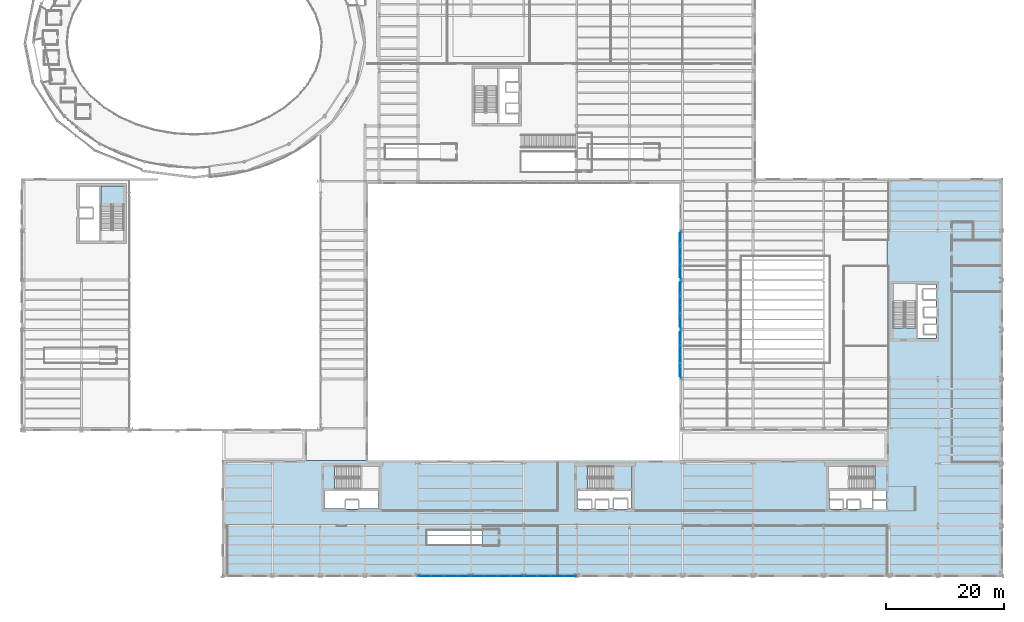
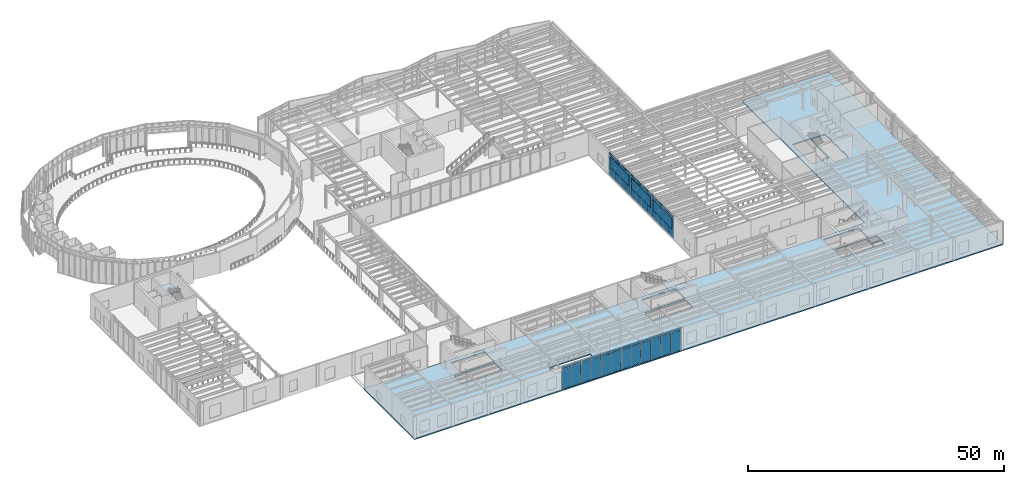
# One storey, part 68 of 98: 51 plates, 3 slabs, 14 elements without a shape of their own.
"""IFC4 building model written with IfcOpenShell, lengths in metres."""

from ifc_helpers import new_model, si_unit, direction, frame, origin, origin_2d, place, context, subcontext, project, spatial, polyline, rectangle, outline, extrude, material, layer, layer_set, type_object, element, aggregate, save


model = new_model("IFC4")

# Units and contexts
model_context = context("Model", 3, precision=1e-05, world=origin(), true_north=direction((0.0, 1.0)))
body_context = subcontext(model_context, "Body", "Model", "MODEL_VIEW")
ifc_project = project(units=[si_unit("LENGTHUNIT", "METRE"), si_unit("AREAUNIT", "SQUARE_METRE"), si_unit("VOLUMEUNIT", "CUBIC_METRE"), si_unit("PLANEANGLEUNIT", "RADIAN"), si_unit("MASSUNIT", "GRAM", prefix="KILO")], contexts=[model_context])

# Site, building, storey
site_placement = place(None, origin())
site = spatial("IfcSite", under=ifc_project, at=site_placement, CompositionType="ELEMENT")
building_placement = place(site_placement, origin())
building = spatial("IfcBuilding", under=site, at=building_placement, Name="Sollismere Congress Hotel", CompositionType="ELEMENT")
storey_placement = place(building_placement, frame((0.0, 0.0, 5.39990234375)))
storey = spatial("IfcBuildingStorey", under=building, at=storey_placement, Name="L01", CompositionType="ELEMENT", Elevation=5.39990234375)

# Curtain wall, plates
ifc_material_1 = material(Name="Anodized Bronze Curtain Wall & Low-E Triple Glazing", Category="glass")
ifc_layer_1 = layer(ifc_material_1, 0.199951171875, Name="Anodized Bronze Curtain Wall & Low-E Triple Glazing")
ifc_layer_set_1 = layer_set([ifc_layer_1], Name="Anodized Bronze Curtain Wall & Low-E Triple Glazing")
curtain_wall_type = type_object("IfcCurtainWallType", Name="CW-GLZ36", PredefinedType="USERDEFINED", material=ifc_layer_set_1)
curtain_wall_1_placement = place(storey_placement, origin())
curtain_wall_1 = element("IfcCurtainWall", 1, at=curtain_wall_1_placement, inside=storey, type_object=curtain_wall_type, Name="Unitised curtain wall CW-L01-141", ObjectType="UNITISED CURTAIN WALL", PredefinedType="USERDEFINED")
ifc_material_2 = material(Name="Blue-Tinted Solar-Control Low-E Vision Glass", Category="glass")
ifc_layer_2 = layer(ifc_material_2, 0.035888671875, Name="Blue-Tinted Solar-Control Low-E Vision Glass")
ifc_layer_set_2 = layer_set([ifc_layer_2], Name="Blue-Tinted Solar-Control Low-E Vision Glass")
plate_type_1 = type_object("IfcPlateType", Name="PL-CWGLZ", PredefinedType="CURTAIN_PANEL", material=ifc_layer_set_2)
plate_1_placement = place(storey_placement, frame((111.68994140625, 34.276611328125, 0.05322265625), z_axis=(0.0, 0.0, 1.0), x_axis=(0.0, 1.0, 0.0)))
plate_1 = element("IfcPlate", 2, at=plate_1_placement, type_object=plate_type_1, Name="CWL-CW-L01-141-VP01", PredefinedType="CURTAIN_PANEL", context=body_context, shape_type="SweptSolid", body=[
    extrude(rectangle(XDim=2.006103515625, YDim=0.035888671875, at=origin_2d()), origin(), (0.0, 0.0, 1.0), 4.60888671875),
])
plate_2_placement = place(storey_placement, frame((111.68994140625, 36.33349609375, 0.05322265625), z_axis=(0.0, 0.0, 1.0), x_axis=(0.0, 1.0, 0.0)))
plate_2 = element("IfcPlate", 3, at=plate_2_placement, type_object=plate_type_1, Name="CWL-CW-L01-141-VP02", PredefinedType="CURTAIN_PANEL", context=body_context, shape_type="SweptSolid", body=[
    extrude(rectangle(XDim=2.006103515625, YDim=0.035888671875, at=origin_2d()), origin(), (0.0, 0.0, 1.0), 4.60888671875),
])

curtain_wall_2_placement = place(storey_placement, origin())
curtain_wall_2 = element("IfcCurtainWall", 4, at=curtain_wall_2_placement, inside=storey, type_object=curtain_wall_type, Name="Unitised curtain wall CW-L01-142", ObjectType="UNITISED CURTAIN WALL", PredefinedType="USERDEFINED")
plate_3_placement = place(storey_placement, frame((111.68994140625, 38.466552734375, 0.05322265625), z_axis=(0.0, 0.0, 1.0), x_axis=(0.0, 1.0, 0.0)))
plate_3 = element("IfcPlate", 5, at=plate_3_placement, type_object=plate_type_1, Name="CWL-CW-L01-142-VP01", PredefinedType="CURTAIN_PANEL", context=body_context, shape_type="SweptSolid", body=[
    extrude(rectangle(XDim=2.006103515625, YDim=0.035888671875, at=origin_2d()), origin(), (0.0, 0.0, 1.0), 4.60888671875),
])
plate_4_placement = place(storey_placement, frame((111.68994140625, 40.5234375, 0.05322265625), z_axis=(0.0, 0.0, 1.0), x_axis=(0.0, 1.0, 0.0)))
plate_4 = element("IfcPlate", 6, at=plate_4_placement, type_object=plate_type_1, Name="CWL-CW-L01-142-VP02", PredefinedType="CURTAIN_PANEL", context=body_context, shape_type="SweptSolid", body=[
    extrude(rectangle(XDim=2.006103515625, YDim=0.035888671875, at=origin_2d()), origin(), (0.0, 0.0, 1.0), 4.60888671875),
])

curtain_wall_3_placement = place(storey_placement, origin())
curtain_wall_3 = element("IfcCurtainWall", 7, at=curtain_wall_3_placement, inside=storey, type_object=curtain_wall_type, Name="Unitised curtain wall CW-L01-143", ObjectType="UNITISED CURTAIN WALL", PredefinedType="USERDEFINED")
plate_5_placement = place(storey_placement, frame((111.68994140625, 42.676513671875, 0.05322265625), z_axis=(0.0, 0.0, 1.0), x_axis=(0.0, 1.0, 0.0)))
plate_5 = element("IfcPlate", 8, at=plate_5_placement, type_object=plate_type_1, Name="CWL-CW-L01-143-VP01", PredefinedType="CURTAIN_PANEL", context=body_context, shape_type="SweptSolid", body=[
    extrude(rectangle(XDim=2.006103515625, YDim=0.035888671875, at=origin_2d()), origin(), (0.0, 0.0, 1.0), 4.60888671875),
])
plate_6_placement = place(storey_placement, frame((111.68994140625, 44.7333984375, 0.05322265625), z_axis=(0.0, 0.0, 1.0), x_axis=(0.0, 1.0, 0.0)))
plate_6 = element("IfcPlate", 9, at=plate_6_placement, type_object=plate_type_1, Name="CWL-CW-L01-143-VP02", PredefinedType="CURTAIN_PANEL", context=body_context, shape_type="SweptSolid", body=[
    extrude(rectangle(XDim=2.006103515625, YDim=0.035888671875, at=origin_2d()), origin(), (0.0, 0.0, 1.0), 4.60888671875),
])

curtain_wall_4_placement = place(storey_placement, origin())
curtain_wall_4 = element("IfcCurtainWall", 10, at=curtain_wall_4_placement, inside=storey, type_object=curtain_wall_type, Name="Unitised curtain wall CW-L01-144", ObjectType="UNITISED CURTAIN WALL", PredefinedType="USERDEFINED")
plate_7_placement = place(storey_placement, frame((111.68994140625, 46.866455078125, 0.05322265625), z_axis=(0.0, 0.0, 1.0), x_axis=(0.0, 1.0, 0.0)))
plate_7 = element("IfcPlate", 11, at=plate_7_placement, type_object=plate_type_1, Name="CWL-CW-L01-144-VP01", PredefinedType="CURTAIN_PANEL", context=body_context, shape_type="SweptSolid", body=[
    extrude(rectangle(XDim=2.006103515625, YDim=0.035888671875, at=origin_2d()), origin(), (0.0, 0.0, 1.0), 4.60888671875),
])
plate_8_placement = place(storey_placement, frame((111.68994140625, 48.923583984375, 0.05322265625), z_axis=(0.0, 0.0, 1.0), x_axis=(0.0, 1.0, 0.0)))
plate_8 = element("IfcPlate", 12, at=plate_8_placement, type_object=plate_type_1, Name="CWL-CW-L01-144-VP02", PredefinedType="CURTAIN_PANEL", context=body_context, shape_type="SweptSolid", body=[
    extrude(rectangle(XDim=2.006103515625, YDim=0.035888671875, at=origin_2d()), origin(), (0.0, 0.0, 1.0), 4.60888671875),
])

curtain_wall_5_placement = place(storey_placement, origin())
curtain_wall_5 = element("IfcCurtainWall", 13, at=curtain_wall_5_placement, inside=storey, type_object=curtain_wall_type, Name="Unitised curtain wall CW-L01-145", ObjectType="UNITISED CURTAIN WALL", PredefinedType="USERDEFINED")
plate_9_placement = place(storey_placement, frame((111.68994140625, 51.076416015625, 0.05322265625), z_axis=(0.0, 0.0, 1.0), x_axis=(0.0, 1.0, 0.0)))
plate_9 = element("IfcPlate", 14, at=plate_9_placement, type_object=plate_type_1, Name="CWL-CW-L01-145-VP01", PredefinedType="CURTAIN_PANEL", context=body_context, shape_type="SweptSolid", body=[
    extrude(rectangle(XDim=2.006103515625, YDim=0.035888671875, at=origin_2d()), origin(), (0.0, 0.0, 1.0), 4.60888671875),
])
plate_10_placement = place(storey_placement, frame((111.68994140625, 53.133544921875, 0.05322265625), z_axis=(0.0, 0.0, 1.0), x_axis=(0.0, 1.0, 0.0)))
plate_10 = element("IfcPlate", 15, at=plate_10_placement, type_object=plate_type_1, Name="CWL-CW-L01-145-VP02", PredefinedType="CURTAIN_PANEL", context=body_context, shape_type="SweptSolid", body=[
    extrude(rectangle(XDim=2.006103515625, YDim=0.035888671875, at=origin_2d()), origin(), (0.0, 0.0, 1.0), 4.60888671875),
])

curtain_wall_6_placement = place(storey_placement, origin())
curtain_wall_6 = element("IfcCurtainWall", 16, at=curtain_wall_6_placement, inside=storey, type_object=curtain_wall_type, Name="Unitised curtain wall CW-L01-146", ObjectType="UNITISED CURTAIN WALL", PredefinedType="USERDEFINED")
plate_11_placement = place(storey_placement, frame((111.68994140625, 55.2666015625, 0.05322265625), z_axis=(0.0, 0.0, 1.0), x_axis=(0.0, 1.0, 0.0)))
plate_11 = element("IfcPlate", 17, at=plate_11_placement, type_object=plate_type_1, Name="CWL-CW-L01-146-VP01", PredefinedType="CURTAIN_PANEL", context=body_context, shape_type="SweptSolid", body=[
    extrude(rectangle(XDim=2.006103515625, YDim=0.035888671875, at=origin_2d()), origin(), (0.0, 0.0, 1.0), 4.60888671875),
])
plate_12_placement = place(storey_placement, frame((111.68994140625, 57.323486328125, 0.05322265625), z_axis=(0.0, 0.0, 1.0), x_axis=(0.0, 1.0, 0.0)))
plate_12 = element("IfcPlate", 18, at=plate_12_placement, type_object=plate_type_1, Name="CWL-CW-L01-146-VP02", PredefinedType="CURTAIN_PANEL", context=body_context, shape_type="SweptSolid", body=[
    extrude(rectangle(XDim=2.006103515625, YDim=0.035888671875, at=origin_2d()), origin(), (0.0, 0.0, 1.0), 4.60888671875),
])

curtain_wall_7_placement = place(storey_placement, origin())
curtain_wall_7 = element("IfcCurtainWall", 19, at=curtain_wall_7_placement, inside=storey, type_object=curtain_wall_type, Name="Unitised curtain wall CW-L01-153", ObjectType="UNITISED CURTAIN WALL", PredefinedType="USERDEFINED")
plate_13_placement = place(storey_placement, frame((68.12646484375, -0.31005859375, 0.05322265625), z_axis=(0.0, 0.0, 1.0), x_axis=(1.0, 0.0, 0.0)))
plate_13 = element("IfcPlate", 20, at=plate_13_placement, type_object=plate_type_1, Name="CWL-CW-L01-153-VP01", PredefinedType="CURTAIN_PANEL", context=body_context, shape_type="SweptSolid", body=[
    extrude(rectangle(XDim=2.166015625, YDim=0.035888671875, at=origin_2d()), origin(), (0.0, 0.0, 1.0), 4.60888671875),
])
plate_14_placement = place(storey_placement, frame((70.343505859375, -0.31005859375, 0.05322265625), z_axis=(0.0, 0.0, 1.0), x_axis=(1.0, 0.0, 0.0)))
plate_14 = element("IfcPlate", 21, at=plate_14_placement, type_object=plate_type_1, Name="CWL-CW-L01-153-VP02", PredefinedType="CURTAIN_PANEL", context=body_context, shape_type="SweptSolid", body=[
    extrude(rectangle(XDim=2.166015625, YDim=0.035888671875, at=origin_2d()), origin(), (0.0, 0.0, 1.0), 4.60888671875),
])

curtain_wall_8_placement = place(storey_placement, origin())
curtain_wall_8 = element("IfcCurtainWall", 22, at=curtain_wall_8_placement, inside=storey, type_object=curtain_wall_type, Name="Unitised curtain wall CW-L01-154", ObjectType="UNITISED CURTAIN WALL", PredefinedType="USERDEFINED")
plate_15_placement = place(storey_placement, frame((72.636474609375, -0.31005859375, 0.05322265625), z_axis=(0.0, 0.0, 1.0), x_axis=(1.0, 0.0, 0.0)))
plate_15 = element("IfcPlate", 23, at=plate_15_placement, type_object=plate_type_1, Name="CWL-CW-L01-154-VP01", PredefinedType="CURTAIN_PANEL", context=body_context, shape_type="SweptSolid", body=[
    extrude(rectangle(XDim=2.166015625, YDim=0.035888671875, at=origin_2d()), origin(), (0.0, 0.0, 1.0), 4.60888671875),
])
plate_16_placement = place(storey_placement, frame((74.853515625, -0.31005859375, 0.05322265625), z_axis=(0.0, 0.0, 1.0), x_axis=(1.0, 0.0, 0.0)))
plate_16 = element("IfcPlate", 24, at=plate_16_placement, type_object=plate_type_1, Name="CWL-CW-L01-154-VP02", PredefinedType="CURTAIN_PANEL", context=body_context, shape_type="SweptSolid", body=[
    extrude(rectangle(XDim=2.166015625, YDim=0.035888671875, at=origin_2d()), origin(), (0.0, 0.0, 1.0), 4.60888671875),
])

curtain_wall_9_placement = place(storey_placement, origin())
curtain_wall_9 = element("IfcCurtainWall", 25, at=curtain_wall_9_placement, inside=storey, type_object=curtain_wall_type, Name="Unitised curtain wall CW-L01-155", ObjectType="UNITISED CURTAIN WALL", PredefinedType="USERDEFINED")
plate_17_placement = place(storey_placement, frame((77.14404296875, -0.31005859375, 0.05322265625), z_axis=(0.0, 0.0, 1.0), x_axis=(1.0, 0.0, 0.0)))
plate_17 = element("IfcPlate", 26, at=plate_17_placement, type_object=plate_type_1, Name="CWL-CW-L01-155-VP01", PredefinedType="CURTAIN_PANEL", context=body_context, shape_type="SweptSolid", body=[
    extrude(rectangle(XDim=2.160888671875, YDim=0.035888671875, at=origin_2d()), origin(), (0.0, 0.0, 1.0), 4.60888671875),
])
plate_18_placement = place(storey_placement, frame((79.35595703125, -0.31005859375, 0.05322265625), z_axis=(0.0, 0.0, 1.0), x_axis=(1.0, 0.0, 0.0)))
plate_18 = element("IfcPlate", 27, at=plate_18_placement, type_object=plate_type_1, Name="CWL-CW-L01-155-VP02", PredefinedType="CURTAIN_PANEL", context=body_context, shape_type="SweptSolid", body=[
    extrude(rectangle(XDim=2.160888671875, YDim=0.035888671875, at=origin_2d()), origin(), (0.0, 0.0, 1.0), 4.60888671875),
])

curtain_wall_10_placement = place(storey_placement, origin())
curtain_wall_10 = element("IfcCurtainWall", 28, at=curtain_wall_10_placement, inside=storey, type_object=curtain_wall_type, Name="Unitised curtain wall CW-L01-156", ObjectType="UNITISED CURTAIN WALL", PredefinedType="USERDEFINED")
plate_19_placement = place(storey_placement, frame((81.64404296875, -0.31005859375, 0.05322265625), z_axis=(0.0, 0.0, 1.0), x_axis=(1.0, 0.0, 0.0)))
plate_19 = element("IfcPlate", 29, at=plate_19_placement, type_object=plate_type_1, Name="CWL-CW-L01-156-VP01", PredefinedType="CURTAIN_PANEL", context=body_context, shape_type="SweptSolid", body=[
    extrude(rectangle(XDim=2.160888671875, YDim=0.035888671875, at=origin_2d()), origin(), (0.0, 0.0, 1.0), 4.60888671875),
])
plate_20_placement = place(storey_placement, frame((83.85595703125, -0.31005859375, 0.05322265625), z_axis=(0.0, 0.0, 1.0), x_axis=(1.0, 0.0, 0.0)))
plate_20 = element("IfcPlate", 30, at=plate_20_placement, type_object=plate_type_1, Name="CWL-CW-L01-156-VP02", PredefinedType="CURTAIN_PANEL", context=body_context, shape_type="SweptSolid", body=[
    extrude(rectangle(XDim=2.160888671875, YDim=0.035888671875, at=origin_2d()), origin(), (0.0, 0.0, 1.0), 4.60888671875),
])

curtain_wall_11_placement = place(storey_placement, origin())
curtain_wall_11 = element("IfcCurtainWall", 31, at=curtain_wall_11_placement, inside=storey, type_object=curtain_wall_type, Name="Unitised curtain wall CW-L01-157", ObjectType="UNITISED CURTAIN WALL", PredefinedType="USERDEFINED")
plate_21_placement = place(storey_placement, frame((86.146484375, -0.31005859375, 0.05322265625), z_axis=(0.0, 0.0, 1.0), x_axis=(1.0, 0.0, 0.0)))
plate_21 = element("IfcPlate", 32, at=plate_21_placement, type_object=plate_type_1, Name="CWL-CW-L01-157-VP01", PredefinedType="CURTAIN_PANEL", context=body_context, shape_type="SweptSolid", body=[
    extrude(rectangle(XDim=2.166015625, YDim=0.035888671875, at=origin_2d()), origin(), (0.0, 0.0, 1.0), 4.60888671875),
])
plate_22_placement = place(storey_placement, frame((88.363525390625, -0.31005859375, 0.05322265625), z_axis=(0.0, 0.0, 1.0), x_axis=(1.0, 0.0, 0.0)))
plate_22 = element("IfcPlate", 33, at=plate_22_placement, type_object=plate_type_1, Name="CWL-CW-L01-157-VP02", PredefinedType="CURTAIN_PANEL", context=body_context, shape_type="SweptSolid", body=[
    extrude(rectangle(XDim=2.166015625, YDim=0.035888671875, at=origin_2d()), origin(), (0.0, 0.0, 1.0), 4.60888671875),
])

curtain_wall_12_placement = place(storey_placement, origin())
curtain_wall_12 = element("IfcCurtainWall", 34, at=curtain_wall_12_placement, inside=storey, type_object=curtain_wall_type, Name="Unitised curtain wall CW-L01-158", ObjectType="UNITISED CURTAIN WALL", PredefinedType="USERDEFINED")
plate_23_placement = place(storey_placement, frame((90.656494140625, -0.31005859375, 0.05322265625), z_axis=(0.0, 0.0, 1.0), x_axis=(1.0, 0.0, 0.0)))
plate_23 = element("IfcPlate", 35, at=plate_23_placement, type_object=plate_type_1, Name="CWL-CW-L01-158-VP01", PredefinedType="CURTAIN_PANEL", context=body_context, shape_type="SweptSolid", body=[
    extrude(rectangle(XDim=2.166015625, YDim=0.035888671875, at=origin_2d()), origin(), (0.0, 0.0, 1.0), 4.60888671875),
])
plate_24_placement = place(storey_placement, frame((92.87353515625, -0.31005859375, 0.05322265625), z_axis=(0.0, 0.0, 1.0), x_axis=(1.0, 0.0, 0.0)))
plate_24 = element("IfcPlate", 36, at=plate_24_placement, type_object=plate_type_1, Name="CWL-CW-L01-158-VP02", PredefinedType="CURTAIN_PANEL", context=body_context, shape_type="SweptSolid", body=[
    extrude(rectangle(XDim=2.166015625, YDim=0.035888671875, at=origin_2d()), origin(), (0.0, 0.0, 1.0), 4.60888671875),
])

# Plate
ifc_material_3 = material(Name="Anodized Bronze Insulated Spandrel Panel")
ifc_layer_3 = layer(ifc_material_3, 0.044921875, Name="Anodized Bronze Insulated Spandrel Panel")
ifc_layer_set_3 = layer_set([ifc_layer_3], Name="Anodized Bronze Insulated Spandrel Panel")
plate_type_2 = type_object("IfcPlateType", Name="PL-CWSPN", PredefinedType="SHEET", material=ifc_layer_set_3)
plate_25_placement = place(storey_placement, frame((111.68994140625, 34.276611328125, 4.77783203125), z_axis=(0.0, 0.0, 1.0), x_axis=(0.0, 1.0, 0.0)))
plate_25 = element("IfcPlate", 37, at=plate_25_placement, type_object=plate_type_2, Name="CWL-CW-L01-141-SP01", PredefinedType="SHEET", context=body_context, shape_type="SweptSolid", body=[
    extrude(rectangle(XDim=2.006103515625, YDim=0.044921875, at=origin_2d()), origin(), (0.0, 0.0, 1.0), 0.569091796875),
])

plate_26_placement = place(storey_placement, frame((111.68994140625, 36.33349609375, 4.77783203125), z_axis=(0.0, 0.0, 1.0), x_axis=(0.0, 1.0, 0.0)))
plate_26 = element("IfcPlate", 38, at=plate_26_placement, type_object=plate_type_2, Name="CWL-CW-L01-141-SP02", PredefinedType="SHEET", context=body_context, shape_type="SweptSolid", body=[
    extrude(rectangle(XDim=2.006103515625, YDim=0.044921875, at=origin_2d()), origin(), (0.0, 0.0, 1.0), 0.569091796875),
])

aggregate(curtain_wall_1, [plate_1, plate_25, plate_2, plate_26])

plate_27_placement = place(storey_placement, frame((111.68994140625, 38.466552734375, 4.77783203125), z_axis=(0.0, 0.0, 1.0), x_axis=(0.0, 1.0, 0.0)))
plate_27 = element("IfcPlate", 39, at=plate_27_placement, type_object=plate_type_2, Name="CWL-CW-L01-142-SP01", PredefinedType="SHEET", context=body_context, shape_type="SweptSolid", body=[
    extrude(rectangle(XDim=2.006103515625, YDim=0.044921875, at=origin_2d()), origin(), (0.0, 0.0, 1.0), 0.569091796875),
])

plate_28_placement = place(storey_placement, frame((111.68994140625, 40.5234375, 4.77783203125), z_axis=(0.0, 0.0, 1.0), x_axis=(0.0, 1.0, 0.0)))
plate_28 = element("IfcPlate", 40, at=plate_28_placement, type_object=plate_type_2, Name="CWL-CW-L01-142-SP02", PredefinedType="SHEET", context=body_context, shape_type="SweptSolid", body=[
    extrude(rectangle(XDim=2.006103515625, YDim=0.044921875, at=origin_2d()), origin(), (0.0, 0.0, 1.0), 0.569091796875),
])

aggregate(curtain_wall_2, [plate_3, plate_27, plate_4, plate_28])

plate_29_placement = place(storey_placement, frame((111.68994140625, 42.676513671875, 4.77783203125), z_axis=(0.0, 0.0, 1.0), x_axis=(0.0, 1.0, 0.0)))
plate_29 = element("IfcPlate", 41, at=plate_29_placement, type_object=plate_type_2, Name="CWL-CW-L01-143-SP01", PredefinedType="SHEET", context=body_context, shape_type="SweptSolid", body=[
    extrude(rectangle(XDim=2.006103515625, YDim=0.044921875, at=origin_2d()), origin(), (0.0, 0.0, 1.0), 0.569091796875),
])

plate_30_placement = place(storey_placement, frame((111.68994140625, 44.7333984375, 4.77783203125), z_axis=(0.0, 0.0, 1.0), x_axis=(0.0, 1.0, 0.0)))
plate_30 = element("IfcPlate", 42, at=plate_30_placement, type_object=plate_type_2, Name="CWL-CW-L01-143-SP02", PredefinedType="SHEET", context=body_context, shape_type="SweptSolid", body=[
    extrude(rectangle(XDim=2.006103515625, YDim=0.044921875, at=origin_2d()), origin(), (0.0, 0.0, 1.0), 0.569091796875),
])

aggregate(curtain_wall_3, [plate_5, plate_29, plate_6, plate_30])

plate_31_placement = place(storey_placement, frame((111.68994140625, 46.866455078125, 4.77783203125), z_axis=(0.0, 0.0, 1.0), x_axis=(0.0, 1.0, 0.0)))
plate_31 = element("IfcPlate", 43, at=plate_31_placement, type_object=plate_type_2, Name="CWL-CW-L01-144-SP01", PredefinedType="SHEET", context=body_context, shape_type="SweptSolid", body=[
    extrude(rectangle(XDim=2.006103515625, YDim=0.044921875, at=origin_2d()), origin(), (0.0, 0.0, 1.0), 0.569091796875),
])

plate_32_placement = place(storey_placement, frame((111.68994140625, 48.923583984375, 4.77783203125), z_axis=(0.0, 0.0, 1.0), x_axis=(0.0, 1.0, 0.0)))
plate_32 = element("IfcPlate", 44, at=plate_32_placement, type_object=plate_type_2, Name="CWL-CW-L01-144-SP02", PredefinedType="SHEET", context=body_context, shape_type="SweptSolid", body=[
    extrude(rectangle(XDim=2.006103515625, YDim=0.044921875, at=origin_2d()), origin(), (0.0, 0.0, 1.0), 0.569091796875),
])

aggregate(curtain_wall_4, [plate_7, plate_31, plate_8, plate_32])

plate_33_placement = place(storey_placement, frame((111.68994140625, 51.076416015625, 4.77783203125), z_axis=(0.0, 0.0, 1.0), x_axis=(0.0, 1.0, 0.0)))
plate_33 = element("IfcPlate", 45, at=plate_33_placement, type_object=plate_type_2, Name="CWL-CW-L01-145-SP01", PredefinedType="SHEET", context=body_context, shape_type="SweptSolid", body=[
    extrude(rectangle(XDim=2.006103515625, YDim=0.044921875, at=origin_2d()), origin(), (0.0, 0.0, 1.0), 0.569091796875),
])

plate_34_placement = place(storey_placement, frame((111.68994140625, 53.133544921875, 4.77783203125), z_axis=(0.0, 0.0, 1.0), x_axis=(0.0, 1.0, 0.0)))
plate_34 = element("IfcPlate", 46, at=plate_34_placement, type_object=plate_type_2, Name="CWL-CW-L01-145-SP02", PredefinedType="SHEET", context=body_context, shape_type="SweptSolid", body=[
    extrude(rectangle(XDim=2.006103515625, YDim=0.044921875, at=origin_2d()), origin(), (0.0, 0.0, 1.0), 0.569091796875),
])

aggregate(curtain_wall_5, [plate_9, plate_33, plate_10, plate_34])

plate_35_placement = place(storey_placement, frame((111.68994140625, 55.2666015625, 4.77783203125), z_axis=(0.0, 0.0, 1.0), x_axis=(0.0, 1.0, 0.0)))
plate_35 = element("IfcPlate", 47, at=plate_35_placement, type_object=plate_type_2, Name="CWL-CW-L01-146-SP01", PredefinedType="SHEET", context=body_context, shape_type="SweptSolid", body=[
    extrude(rectangle(XDim=2.006103515625, YDim=0.044921875, at=origin_2d()), origin(), (0.0, 0.0, 1.0), 0.569091796875),
])

plate_36_placement = place(storey_placement, frame((111.68994140625, 57.323486328125, 4.77783203125), z_axis=(0.0, 0.0, 1.0), x_axis=(0.0, 1.0, 0.0)))
plate_36 = element("IfcPlate", 48, at=plate_36_placement, type_object=plate_type_2, Name="CWL-CW-L01-146-SP02", PredefinedType="SHEET", context=body_context, shape_type="SweptSolid", body=[
    extrude(rectangle(XDim=2.006103515625, YDim=0.044921875, at=origin_2d()), origin(), (0.0, 0.0, 1.0), 0.569091796875),
])

aggregate(curtain_wall_6, [plate_11, plate_35, plate_12, plate_36])

plate_37_placement = place(storey_placement, frame((68.12646484375, -0.31005859375, 4.77783203125), z_axis=(0.0, 0.0, 1.0), x_axis=(1.0, 0.0, 0.0)))
plate_37 = element("IfcPlate", 49, at=plate_37_placement, type_object=plate_type_2, Name="CWL-CW-L01-153-SP01", PredefinedType="SHEET", context=body_context, shape_type="SweptSolid", body=[
    extrude(rectangle(XDim=2.166015625, YDim=0.044921875, at=origin_2d()), origin(), (0.0, 0.0, 1.0), 0.569091796875),
])

plate_38_placement = place(storey_placement, frame((70.343505859375, -0.31005859375, 4.77783203125), z_axis=(0.0, 0.0, 1.0), x_axis=(1.0, 0.0, 0.0)))
plate_38 = element("IfcPlate", 50, at=plate_38_placement, type_object=plate_type_2, Name="CWL-CW-L01-153-SP02", PredefinedType="SHEET", context=body_context, shape_type="SweptSolid", body=[
    extrude(rectangle(XDim=2.166015625, YDim=0.044921875, at=origin_2d()), origin(), (0.0, 0.0, 1.0), 0.569091796875),
])

aggregate(curtain_wall_7, [plate_13, plate_37, plate_14, plate_38])

plate_39_placement = place(storey_placement, frame((72.636474609375, -0.31005859375, 4.77783203125), z_axis=(0.0, 0.0, 1.0), x_axis=(1.0, 0.0, 0.0)))
plate_39 = element("IfcPlate", 51, at=plate_39_placement, type_object=plate_type_2, Name="CWL-CW-L01-154-SP01", PredefinedType="SHEET", context=body_context, shape_type="SweptSolid", body=[
    extrude(rectangle(XDim=2.166015625, YDim=0.044921875, at=origin_2d()), origin(), (0.0, 0.0, 1.0), 0.569091796875),
])

plate_40_placement = place(storey_placement, frame((74.853515625, -0.31005859375, 4.77783203125), z_axis=(0.0, 0.0, 1.0), x_axis=(1.0, 0.0, 0.0)))
plate_40 = element("IfcPlate", 52, at=plate_40_placement, type_object=plate_type_2, Name="CWL-CW-L01-154-SP02", PredefinedType="SHEET", context=body_context, shape_type="SweptSolid", body=[
    extrude(rectangle(XDim=2.166015625, YDim=0.044921875, at=origin_2d()), origin(), (0.0, 0.0, 1.0), 0.569091796875),
])

aggregate(curtain_wall_8, [plate_15, plate_39, plate_16, plate_40])

plate_41_placement = place(storey_placement, frame((77.14404296875, -0.31005859375, 4.77783203125), z_axis=(0.0, 0.0, 1.0), x_axis=(1.0, 0.0, 0.0)))
plate_41 = element("IfcPlate", 53, at=plate_41_placement, type_object=plate_type_2, Name="CWL-CW-L01-155-SP01", PredefinedType="SHEET", context=body_context, shape_type="SweptSolid", body=[
    extrude(rectangle(XDim=2.160888671875, YDim=0.044921875, at=origin_2d()), origin(), (0.0, 0.0, 1.0), 0.569091796875),
])

plate_42_placement = place(storey_placement, frame((79.35595703125, -0.31005859375, 4.77783203125), z_axis=(0.0, 0.0, 1.0), x_axis=(1.0, 0.0, 0.0)))
plate_42 = element("IfcPlate", 54, at=plate_42_placement, type_object=plate_type_2, Name="CWL-CW-L01-155-SP02", PredefinedType="SHEET", context=body_context, shape_type="SweptSolid", body=[
    extrude(rectangle(XDim=2.160888671875, YDim=0.044921875, at=origin_2d()), origin(), (0.0, 0.0, 1.0), 0.569091796875),
])

aggregate(curtain_wall_9, [plate_17, plate_41, plate_18, plate_42])

plate_43_placement = place(storey_placement, frame((81.64404296875, -0.31005859375, 4.77783203125), z_axis=(0.0, 0.0, 1.0), x_axis=(1.0, 0.0, 0.0)))
plate_43 = element("IfcPlate", 55, at=plate_43_placement, type_object=plate_type_2, Name="CWL-CW-L01-156-SP01", PredefinedType="SHEET", context=body_context, shape_type="SweptSolid", body=[
    extrude(rectangle(XDim=2.160888671875, YDim=0.044921875, at=origin_2d()), origin(), (0.0, 0.0, 1.0), 0.569091796875),
])

plate_44_placement = place(storey_placement, frame((83.85595703125, -0.31005859375, 4.77783203125), z_axis=(0.0, 0.0, 1.0), x_axis=(1.0, 0.0, 0.0)))
plate_44 = element("IfcPlate", 56, at=plate_44_placement, type_object=plate_type_2, Name="CWL-CW-L01-156-SP02", PredefinedType="SHEET", context=body_context, shape_type="SweptSolid", body=[
    extrude(rectangle(XDim=2.160888671875, YDim=0.044921875, at=origin_2d()), origin(), (0.0, 0.0, 1.0), 0.569091796875),
])

aggregate(curtain_wall_10, [plate_19, plate_43, plate_20, plate_44])

plate_45_placement = place(storey_placement, frame((86.146484375, -0.31005859375, 4.77783203125), z_axis=(0.0, 0.0, 1.0), x_axis=(1.0, 0.0, 0.0)))
plate_45 = element("IfcPlate", 57, at=plate_45_placement, type_object=plate_type_2, Name="CWL-CW-L01-157-SP01", PredefinedType="SHEET", context=body_context, shape_type="SweptSolid", body=[
    extrude(rectangle(XDim=2.166015625, YDim=0.044921875, at=origin_2d()), origin(), (0.0, 0.0, 1.0), 0.569091796875),
])

plate_46_placement = place(storey_placement, frame((88.363525390625, -0.31005859375, 4.77783203125), z_axis=(0.0, 0.0, 1.0), x_axis=(1.0, 0.0, 0.0)))
plate_46 = element("IfcPlate", 58, at=plate_46_placement, type_object=plate_type_2, Name="CWL-CW-L01-157-SP02", PredefinedType="SHEET", context=body_context, shape_type="SweptSolid", body=[
    extrude(rectangle(XDim=2.166015625, YDim=0.044921875, at=origin_2d()), origin(), (0.0, 0.0, 1.0), 0.569091796875),
])

aggregate(curtain_wall_11, [plate_21, plate_45, plate_22, plate_46])

plate_47_placement = place(storey_placement, frame((90.656494140625, -0.31005859375, 4.77783203125), z_axis=(0.0, 0.0, 1.0), x_axis=(1.0, 0.0, 0.0)))
plate_47 = element("IfcPlate", 59, at=plate_47_placement, type_object=plate_type_2, Name="CWL-CW-L01-158-SP01", PredefinedType="SHEET", context=body_context, shape_type="SweptSolid", body=[
    extrude(rectangle(XDim=2.166015625, YDim=0.044921875, at=origin_2d()), origin(), (0.0, 0.0, 1.0), 0.569091796875),
])

plate_48_placement = place(storey_placement, frame((92.87353515625, -0.31005859375, 4.77783203125), z_axis=(0.0, 0.0, 1.0), x_axis=(1.0, 0.0, 0.0)))
plate_48 = element("IfcPlate", 60, at=plate_48_placement, type_object=plate_type_2, Name="CWL-CW-L01-158-SP02", PredefinedType="SHEET", context=body_context, shape_type="SweptSolid", body=[
    extrude(rectangle(XDim=2.166015625, YDim=0.044921875, at=origin_2d()), origin(), (0.0, 0.0, 1.0), 0.569091796875),
])

aggregate(curtain_wall_12, [plate_23, plate_47, plate_24, plate_48])

# Plates
ifc_material_4 = material(Name="Perforated Architectural Bronze Sebeke Screen")
ifc_layer_4 = layer(ifc_material_4, 0.0380859375, Name="Perforated Architectural Bronze Sebeke Screen")
ifc_layer_set_4 = layer_set([ifc_layer_4], Name="Perforated Architectural Bronze Sebeke Screen")
plate_type_3 = type_object("IfcPlateType", Name="PL-SBK32", PredefinedType="USERDEFINED", material=ifc_layer_set_4)
for number, where, z_axis, x_axis, name in (
    (61, (111.550048828125, 37.39990234375, 2.048095703125), (0.0, 0.0, 1.0), (0.0, 1.0, 0.0), "PLT-SBK-025"),
    (62, (111.550048828125, 45.800048828125, 2.048095703125), (0.0, 0.0, 1.0), (0.0, 1.0, 0.0), "PLT-SBK-026"),
    (63, (111.550048828125, 54.199951171875, 2.048095703125), (0.0, 0.0, 1.0), (0.0, 1.0, 0.0), "PLT-SBK-027"),
):
    element("IfcPlate", number, at=place(storey_placement, frame(where, z_axis=z_axis, x_axis=x_axis)), inside=storey, type_object=plate_type_3, Name=name, ObjectType="PERFORATED SCREEN", PredefinedType="USERDEFINED", context=body_context, shape_type="SweptSolid", body=[
        extrude(rectangle(XDim=7.5, YDim=0.0380859375, at=origin_2d()), origin(), (0.0, 0.0, 1.0), 2.56005859375),
    ])

# Slab
ifc_material_5 = material(Name="Concrete C40/50", Category="concrete")
ifc_layer_5 = layer(ifc_material_5, 0.284912109375, Name="Concrete C40/50")
ifc_layer_set_5 = layer_set([ifc_layer_5], Name="Concrete C40/50")
slab_type_1 = type_object("IfcSlabType", Name="SL-FLR285", PredefinedType="FLOOR", material=ifc_layer_set_5)
slab_1_placement = place(storey_placement, frame((0.0, 0.0, -0.284912109375)))
element("IfcSlab", 64, at=slab_1_placement, inside=storey, type_object=slab_type_1, Name="Slab SL-L01-V5", PredefinedType="FLOOR", context=body_context, shape_type="SweptSolid", body=[
    extrude(outline(polyline([(166.47998046875, -0.47998046875), (166.47998046875, 19.280029296875), (166.47998046875, 67.280029296875), (146.719970703125, 67.280029296875), (146.719970703125, 19.280029296875), (33.719970703125, 19.280029296875), (33.719970703125, -0.47998046875), (166.47998046875, -0.47998046875)]), holes=[polyline([(77.8994140625, 5.0), (68.550048828125, 5.0), (68.550048828125, 7.39990234375), (77.8994140625, 7.39990234375), (77.8994140625, 5.0)]), polyline([(54.7548828125, 11.050048828125), (54.7548828125, 11.139892578125), (51.139892578125, 11.139892578125), (51.139892578125, 14.179931640625), (60.260009765625, 14.179931640625), (60.260009765625, 11.139892578125), (56.844970703125, 11.139892578125), (56.844970703125, 11.050048828125), (54.7548828125, 11.050048828125)]), polyline([(94.35498046875, 11.050048828125), (94.35498046875, 11.139892578125), (94.139892578125, 11.139892578125), (94.139892578125, 14.179931640625), (103.260009765625, 14.179931640625), (103.260009765625, 11.139892578125), (102.570068359375, 11.139892578125), (102.570068359375, 11.054931640625), (100.330078125, 11.054931640625), (100.330078125, 11.139892578125), (99.344970703125, 11.139892578125), (99.344970703125, 11.050048828125), (97.2548828125, 11.050048828125), (97.2548828125, 11.139892578125), (96.445068359375, 11.139892578125), (96.445068359375, 11.050048828125), (94.35498046875, 11.050048828125)]), polyline([(137.155029296875, 11.050048828125), (137.155029296875, 11.139892578125), (136.93994140625, 11.139892578125), (136.93994140625, 14.179931640625), (144.22705078125, 14.179931640625), (144.22705078125, 11.139892578125), (142.14501953125, 11.139892578125), (142.14501953125, 11.050048828125), (140.054931640625, 11.050048828125), (140.054931640625, 11.139892578125), (139.2451171875, 11.139892578125), (139.2451171875, 11.050048828125), (137.155029296875, 11.050048828125)]), polyline([(52.8505859375, 18.35009765625), (60.39990234375, 18.35009765625), (60.39990234375, 14.449951171875), (52.8505859375, 14.449951171875), (52.8505859375, 18.35009765625)]), polyline([(95.8505859375, 18.35009765625), (103.39990234375, 18.35009765625), (103.39990234375, 14.449951171875), (95.8505859375, 14.449951171875), (95.8505859375, 18.35009765625)]), polyline([(146.550048828125, 11.0048828125), (144.409912109375, 11.0048828125), (144.409912109375, 12.4951171875), (146.550048828125, 12.4951171875), (146.550048828125, 11.0048828125)]), polyline([(144.409912109375, 12.705078125), (144.409912109375, 14.195068359375), (146.550048828125, 14.195068359375), (146.550048828125, 12.705078125), (144.409912109375, 12.705078125)]), polyline([(144.749267578125, 14.449951171875), (136.800048828125, 14.449951171875), (136.800048828125, 18.35009765625), (144.749267578125, 18.35009765625), (144.749267578125, 14.449951171875)]), polyline([(155.06005859375, 40.830078125), (155.06005859375, 40.139892578125), (151.969970703125, 40.139892578125), (151.969970703125, 49.260009765625), (155.06005859375, 49.260009765625), (155.06005859375, 48.39501953125), (155.139892578125, 48.39501953125), (155.139892578125, 46.705078125), (155.06005859375, 46.705078125), (155.06005859375, 45.27001953125), (155.14501953125, 45.27001953125), (155.14501953125, 43.72998046875), (155.06005859375, 43.72998046875), (155.06005859375, 42.3701171875), (155.14501953125, 42.3701171875), (155.14501953125, 40.830078125), (155.06005859375, 40.830078125)]), polyline([(147.800048828125, 41.8505859375), (147.800048828125, 49.39990234375), (151.699951171875, 49.39990234375), (151.699951171875, 41.8505859375), (147.800048828125, 41.8505859375)])]), origin(), (0.0, 0.0, 1.0), 0.284912109375),
])

# Stair, slab
stair_type = type_object("IfcStairType", Name="STR-DL-540", PredefinedType="HALF_TURN_STAIR", material=ifc_material_5)
stair_1_placement = place(storey_placement, origin())
stair_1 = element("IfcStair", 65, at=stair_1_placement, inside=storey, type_object=stair_type, Name="Protected exit stair ST-02-L01", PredefinedType="HALF_TURN_STAIR")
ifc_layer_6 = layer(ifc_material_5, 0.199951171875, Name="Concrete C40/50")
ifc_layer_set_6 = layer_set([ifc_layer_6], Name="Concrete C40/50")
slab_type_2 = type_object("IfcSlabType", Name="SL-LND200", PredefinedType="LANDING", material=ifc_layer_set_6)
slab_2_placement = place(storey_placement, frame((0.0, 0.0, 2.5)))
slab_2 = element("IfcSlab", 66, at=slab_2_placement, type_object=slab_type_2, Name="Exit stair half-landing ST-02-L01-L1", PredefinedType="LANDING", context=body_context, shape_type="SweptSolid", body=[
    extrude(outline(polyline([(100.199951171875, 14.449951171875), (103.39990234375, 14.449951171875), (103.39990234375, 18.35009765625), (100.199951171875, 18.35009765625), (100.199951171875, 14.449951171875)])), origin(), (0.0, 0.0, 1.0), 0.2001953125),
])
aggregate(stair_1, [slab_2])

stair_2_placement = place(storey_placement, origin())
stair_2 = element("IfcStair", 67, at=stair_2_placement, inside=storey, type_object=stair_type, Name="Protected exit stair ST-05-L01", PredefinedType="HALF_TURN_STAIR")
slab_3_placement = place(storey_placement, frame((0.0, 0.0, 2.5)))
slab_3 = element("IfcSlab", 68, at=slab_3_placement, type_object=slab_type_2, Name="Exit stair half-landing ST-05-L01-L1", PredefinedType="LANDING", context=body_context, shape_type="SweptSolid", body=[
    extrude(outline(polyline([(17.0, 62.800048828125), (17.0, 66.0), (13.10009765625, 66.0), (13.10009765625, 62.800048828125), (17.0, 62.800048828125)])), origin(), (0.0, 0.0, 1.0), 0.2001953125),
])
aggregate(stair_2, [slab_3])

save(model, "model.ifc")
